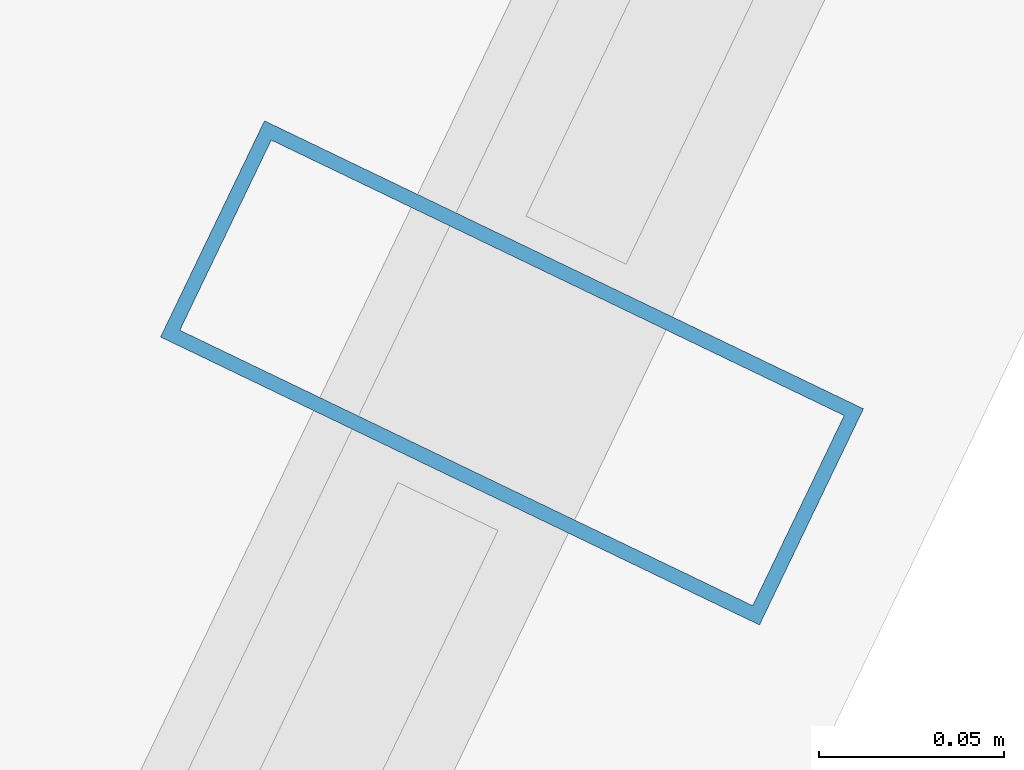
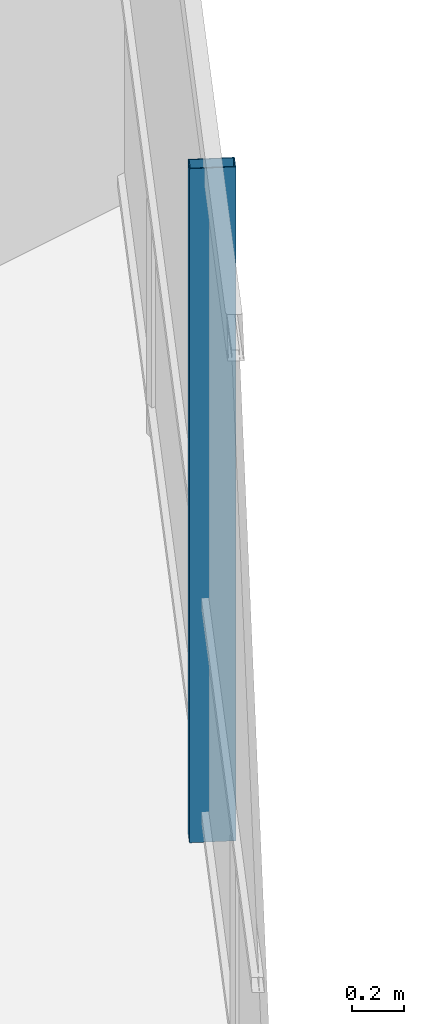
# One storey, part 15 of 30: 1 member, 1 element without a shape of its own.
"""IFC4 building model written with IfcOpenShell, lengths in metres."""

from ifc_helpers import new_model, si_unit, direction, frame, origin, origin_2d, place, context, subcontext, project, spatial, hollow_rectangle, extrude, material, layer, layer_set, material_profile, profile_set, type_object, element, aggregate, save


model = new_model("IFC4")

# Units and contexts
model_context = context("Model", 3, precision=1e-05, world=origin(), true_north=direction((0.0, 1.0)))
body_context = subcontext(model_context, "Body", "Model", "MODEL_VIEW")
ifc_project = project(units=[si_unit("LENGTHUNIT", "METRE"), si_unit("AREAUNIT", "SQUARE_METRE"), si_unit("VOLUMEUNIT", "CUBIC_METRE"), si_unit("PLANEANGLEUNIT", "RADIAN"), si_unit("MASSUNIT", "GRAM", prefix="KILO")], contexts=[model_context])

# Site, building, storey
site_placement = place(None, origin())
site = spatial("IfcSite", under=ifc_project, at=site_placement, CompositionType="ELEMENT")
building_placement = place(site_placement, origin())
building = spatial("IfcBuilding", under=site, at=building_placement, Name="Qarnah Convention Tower", CompositionType="ELEMENT")
storey_placement = place(building_placement, frame((0.0, 0.0, 83.25)))
storey = spatial("IfcBuildingStorey", under=building, at=storey_placement, Name="L21", CompositionType="ELEMENT", Elevation=83.25)

# Curtain wall, member
ifc_material_1 = material(Name="Tempered Low-E dark glass", Category="glass")
ifc_layer = layer(ifc_material_1, 0.169921875)
ifc_layer_set = layer_set([ifc_layer], Name="Tempered Low-E dark glass")
curtain_wall_type = type_object("IfcCurtainWallType", Name="CWS-02", PredefinedType="NOTDEFINED", material=ifc_layer_set)
curtain_wall_placement = place(storey_placement, origin())
curtain_wall = element("IfcCurtainWall", 1, at=curtain_wall_placement, inside=storey, type_object=curtain_wall_type, Name="L21 unitised curtain wall CW-L21-F1", PredefinedType="NOTDEFINED")
ifc_material_2 = material(Name="Black anodised aluminium", Category="aluminium")
ifc_material_profile = material_profile(ifc_material_2, hollow_rectangle(XDim=0.06494140625, YDim=0.179931640625, WallThickness=0.00390625, at=origin_2d()), Name="MUL-65X180")
ifc_profile_set = profile_set([ifc_material_profile], Name="Black anodised aluminium")
member_type = type_object("IfcMemberType", Name="MUL-T2", PredefinedType="MULLION", material=ifc_profile_set)
member_placement = place(storey_placement, frame((58.90478515625, 27.299072265625, 0.0), z_axis=(0.0, 0.0, 1.0), x_axis=(-0.433332348361, -0.901234195903, 0.0)))
member = element("IfcMember", 2, at=member_placement, type_object=member_type, Name="CW-L21-F1 mullion 2", PredefinedType="MULLION", context=body_context, shape_type="SweptSolid", body=[
    extrude(hollow_rectangle(XDim=0.06494140625, YDim=0.179931640625, WallThickness=0.00390625, at=origin_2d()), origin(), (0.0, 0.0, 1.0), 3.169921875),
])
aggregate(curtain_wall, [member])

save(model, "model.ifc")
